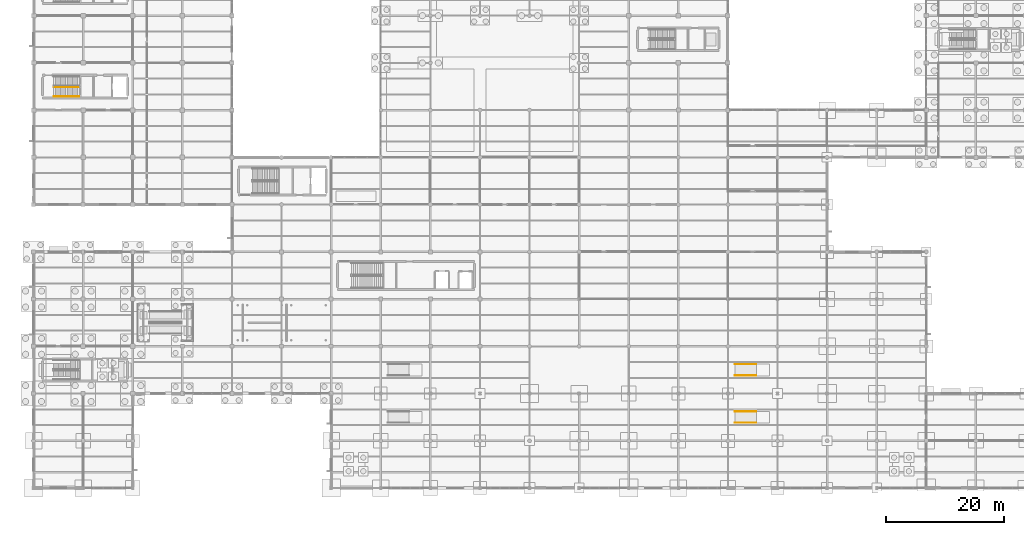
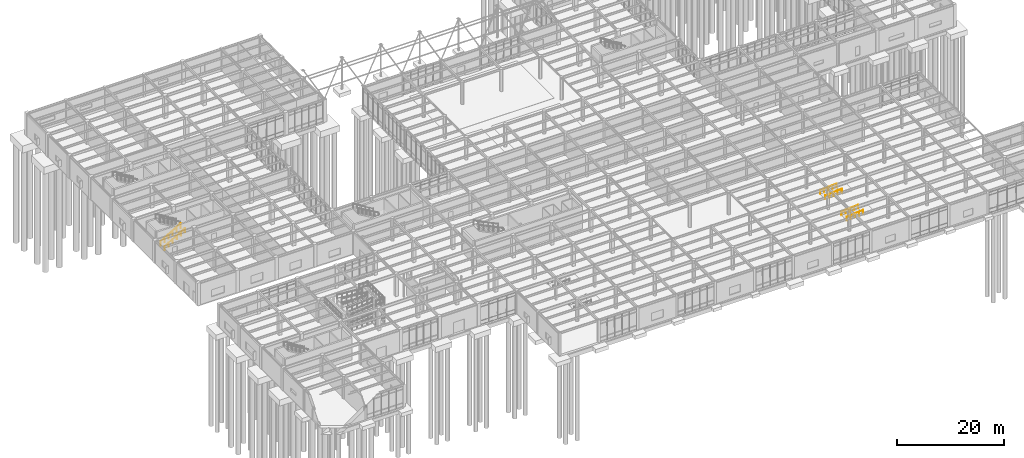
# One storey, part 129 of 138: 6 railings.
"""IFC4 building model written with IfcOpenShell, lengths in metres."""

from ifc_helpers import new_model, si_unit, direction, frame, origin, origin_2d, place, context, subcontext, project, spatial, circle, extrude, material, type_object, element, save


model = new_model("IFC4")

# Units and contexts
model_context = context("Model", 3, precision=1e-05, world=origin(), true_north=direction((0.0, 1.0)))
body_context = subcontext(model_context, "Body", "Model", "MODEL_VIEW")
ifc_project = project(units=[si_unit("LENGTHUNIT", "METRE"), si_unit("AREAUNIT", "SQUARE_METRE"), si_unit("VOLUMEUNIT", "CUBIC_METRE"), si_unit("PLANEANGLEUNIT", "RADIAN"), si_unit("MASSUNIT", "GRAM", prefix="KILO")], contexts=[model_context])

# Site, building, storey
site_placement = place(None, origin())
site = spatial("IfcSite", under=ifc_project, at=site_placement, CompositionType="ELEMENT")
building_placement = place(site_placement, origin())
building = spatial("IfcBuilding", under=site, at=building_placement, Name="Kranzveld Transit Interchange", CompositionType="ELEMENT")
storey_placement = place(building_placement, origin())
storey = spatial("IfcBuildingStorey", under=building, at=storey_placement, Name="L00", CompositionType="ELEMENT", Elevation=0.0)

# Railings
ifc_material_1 = material(Name="Steel S355JR", Category="steel")
railing_type_1 = type_object("IfcRailingType", Name="Stair & Ramp Handrail Steel 900", PredefinedType="HANDRAIL", material=ifc_material_1)
railing_1_placement = place(storey_placement, frame((3.39990234375, 66.320068359375, 0.169921875)))
element("IfcRailing", 1, at=railing_1_placement, inside=storey, type_object=railing_type_1, Name="L00 ST-C1 stair handrail 1", PredefinedType="HANDRAIL", context=body_context, shape_type="SweptSolid", body=[
    extrude(circle(Radius=0.02392578125, at=origin_2d()), frame((0.0, 0.0, 0.8759765625), z_axis=(0.862698698498, 0.0, 0.505718257145), x_axis=(0.0, 1.0, 0.0)), (0.0, 0.0, 1.0), 5.04248046875),
    extrude(circle(Radius=0.02099609375, at=origin_2d()), origin(), (0.0, 0.0, 1.0), 0.849853515625),
    extrude(circle(Radius=0.02099609375, at=origin_2d()), frame((0.8701171875, 0.0, 0.510009765625)), (0.0, 0.0, 1.0), 0.849853515625),
    extrude(circle(Radius=0.02099609375, at=origin_2d()), frame((1.739990234375, 0.0, 1.02001953125)), (0.0, 0.0, 1.0), 0.849853515625),
    extrude(circle(Radius=0.02099609375, at=origin_2d()), frame((2.610107421875, 0.0, 1.530029296875)), (0.0, 0.0, 1.0), 0.849853515625),
    extrude(circle(Radius=0.02099609375, at=origin_2d()), frame((3.47998046875, 0.0, 2.0400390625)), (0.0, 0.0, 1.0), 0.849853515625),
    extrude(circle(Radius=0.02099609375, at=origin_2d()), frame((4.35009765625, 0.0, 2.550048828125)), (0.0, 0.0, 1.0), 0.849853515625),
])
for number, where, name in (
    (2, (118.800048828125, 11.050048828125, 0.0), "RMP-5 Handrail H1"),
    (3, (118.800048828125, 12.949951171875, 0.0), "RMP-5 Handrail H2"),
    (4, (118.800048828125, 19.050048828125, 0.0), "RMP-6 Handrail H1"),
    (5, (118.800048828125, 20.949951171875, 0.0), "RMP-6 Handrail H2"),
):
    element("IfcRailing", number, at=place(storey_placement, frame(where)), inside=storey, type_object=railing_type_1, Name=name, PredefinedType="HANDRAIL", context=body_context, shape_type="SweptSolid", body=[
        extrude(circle(Radius=0.02392578125, at=origin_2d()), frame((0.0, 0.0, 0.8759765625), z_axis=(0.996544359788, 0.0, 0.083062259626), x_axis=(0.0, 1.0, 0.0)), (0.0, 0.0, 1.0), 3.6123046875),
        extrude(circle(Radius=0.02099609375, at=origin_2d()), origin(), (0.0, 0.0, 1.0), 0.849853515625),
        extrude(circle(Radius=0.02099609375, at=origin_2d()), frame((0.89990234375, 0.0, 0.074951171875)), (0.0, 0.0, 1.0), 0.849853515625),
        extrude(circle(Radius=0.02099609375, at=origin_2d()), frame((1.7998046875, 0.0, 0.14990234375)), (0.0, 0.0, 1.0), 0.849853515625),
        extrude(circle(Radius=0.02099609375, at=origin_2d()), frame((2.699951171875, 0.0, 0.22509765625)), (0.0, 0.0, 1.0), 0.849853515625),
        extrude(circle(Radius=0.02099609375, at=origin_2d()), frame((3.599853515625, 0.0, 0.300048828125)), (0.0, 0.0, 1.0), 0.849853515625),
    ])
ifc_material_2 = material(Name="Steel S355JR", Category="steel")
railing_type_2 = type_object("IfcRailingType", Name="Stair Well Guardrail Steel 1100", PredefinedType="GUARDRAIL", material=ifc_material_2)
railing_2_placement = place(storey_placement, frame((3.39990234375, 67.8701171875, 0.169921875)))
element("IfcRailing", 6, at=railing_2_placement, inside=storey, type_object=railing_type_2, Name="L00 ST-C1 stair guard 1", PredefinedType="GUARDRAIL", context=body_context, shape_type="SweptSolid", body=[
    extrude(circle(Radius=0.02392578125, at=origin_2d()), frame((0.0, 0.0, 1.076171875), z_axis=(0.862698698498, 0.0, 0.505718257145), x_axis=(0.0, 1.0, 0.0)), (0.0, 0.0, 1.0), 5.04248046875),
    extrude(circle(Radius=0.02099609375, at=origin_2d()), origin(), (0.0, 0.0, 1.0), 1.050048828125),
    extrude(circle(Radius=0.02099609375, at=origin_2d()), frame((0.8701171875, 0.0, 0.510009765625)), (0.0, 0.0, 1.0), 1.050048828125),
    extrude(circle(Radius=0.02099609375, at=origin_2d()), frame((1.739990234375, 0.0, 1.02001953125)), (0.0, 0.0, 1.0), 1.050048828125),
    extrude(circle(Radius=0.02099609375, at=origin_2d()), frame((2.610107421875, 0.0, 1.530029296875)), (0.0, 0.0, 1.0), 1.050048828125),
    extrude(circle(Radius=0.02099609375, at=origin_2d()), frame((3.47998046875, 0.0, 2.0400390625)), (0.0, 0.0, 1.0), 1.050048828125),
    extrude(circle(Radius=0.02099609375, at=origin_2d()), frame((4.35009765625, 0.0, 2.550048828125)), (0.0, 0.0, 1.0), 1.050048828125),
])

save(model, "model.ifc")
